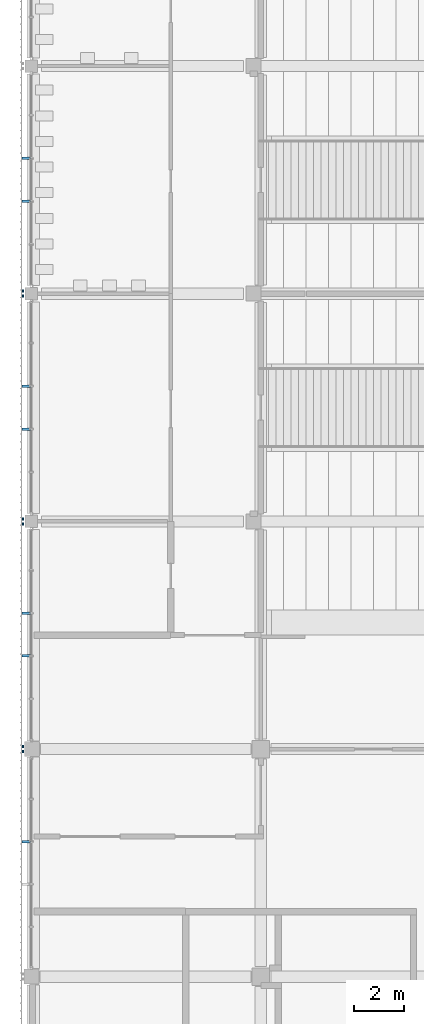
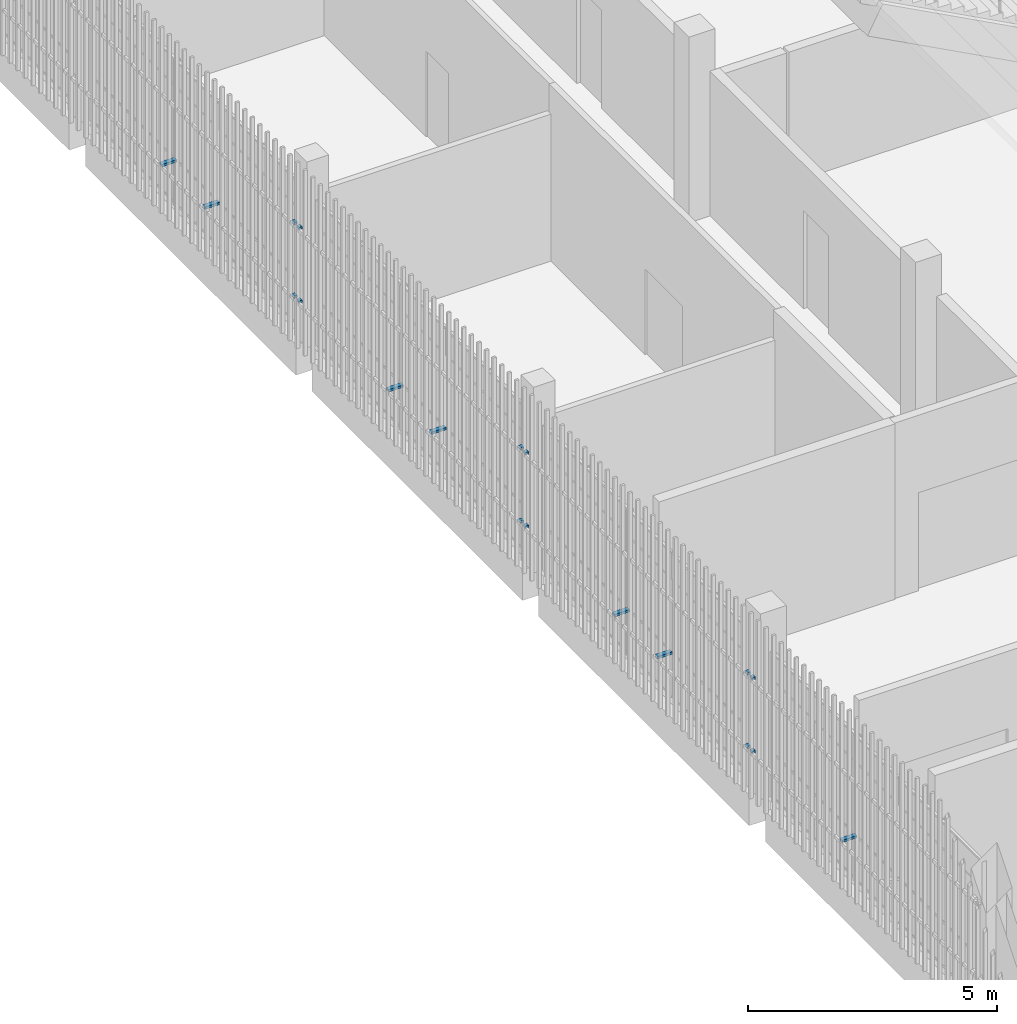
# One storey, part 100 of 139: 19 discrete accessories.
"""IFC4 building model written with IfcOpenShell, lengths in metres."""

from ifc_helpers import new_model, si_unit, direction, frame, origin, origin_2d, place, context, subcontext, project, spatial, rectangle, extrude, material, type_object, element, save


model = new_model("IFC4")

# Units and contexts
model_context = context("Model", 3, precision=1e-05, world=origin(), true_north=direction((0.0, 1.0)))
body_context = subcontext(model_context, "Body", "Model", "MODEL_VIEW")
ifc_project = project(units=[si_unit("LENGTHUNIT", "METRE"), si_unit("AREAUNIT", "SQUARE_METRE"), si_unit("VOLUMEUNIT", "CUBIC_METRE"), si_unit("PLANEANGLEUNIT", "RADIAN"), si_unit("MASSUNIT", "GRAM", prefix="KILO")], contexts=[model_context])

# Site, building, storey
site_placement = place(None, origin())
site = spatial("IfcSite", under=ifc_project, at=site_placement, CompositionType="ELEMENT")
building_placement = place(site_placement, origin())
building = spatial("IfcBuilding", under=site, at=building_placement, Name="Shirokan Park Arena", CompositionType="ELEMENT")
storey_placement = place(building_placement, frame((0.0, 0.0, 15.469970703125)))
storey = spatial("IfcBuildingStorey", under=building, at=storey_placement, Name="L03", CompositionType="ELEMENT", Elevation=15.469970703125)

# Discrete accessories
ifc_material = material(Name="Steel S355", Category="steel")
discrete_accessory_type = type_object("IfcDiscreteAccessoryType", Name="Veil bracket 100x60", PredefinedType="BRACKET", material=ifc_material)
for number, where, z_axis, x_axis, name in (
    (1, (-0.409912109375, 54.699951171875, 1.070068359375), (0.0, 0.0, 1.0), (0.0, -1.0, 0.0), "Veil bracket west bay 6 L03 2"),
    (2, (-0.409912109375, 54.699951171875, 2.8701171875), (0.0, 0.0, 1.0), (0.0, -1.0, 0.0), "Veil bracket west bay 6 L03 4"),
):
    element("IfcDiscreteAccessory", number, at=place(storey_placement, frame(where, z_axis=z_axis, x_axis=x_axis)), inside=storey, type_object=discrete_accessory_type, Name=name, PredefinedType="BRACKET", context=body_context, shape_type="SweptSolid", body=[
        extrude(rectangle(XDim=0.10009765625, YDim=0.070068359375, at=origin_2d()), origin(), (0.0, 0.0, 1.0), 0.06005859375),
    ])
for number, where, z_axis, x_axis, name in (
    (3, (-0.2724609375, 60.010009765625, 1.070068359375), (0.0, 0.0, 1.0), (0.0, -1.0, 0.0), "Veil bracket west bay 6 L03 wall 1"),
    (4, (-0.2724609375, 58.2900390625, 1.070068359375), (0.0, 0.0, 1.0), (0.0, -1.0, 0.0), "Veil bracket west bay 6 L03 wall 2"),
):
    element("IfcDiscreteAccessory", number, at=place(storey_placement, frame(where, z_axis=z_axis, x_axis=x_axis)), inside=storey, type_object=discrete_accessory_type, Name=name, PredefinedType="BRACKET", context=body_context, shape_type="SweptSolid", body=[
        extrude(rectangle(XDim=0.10009765625, YDim=0.344970703125, at=origin_2d()), origin(), (0.0, 0.0, 1.0), 0.06005859375),
    ])
for number, where, z_axis, x_axis, name in (
    (5, (-0.409912109375, 54.5, 1.070068359375), (0.0, 0.0, 1.0), (0.0, -1.0, 0.0), "Veil bracket west bay 7 L03 1"),
    (6, (-0.409912109375, 45.60009765625, 1.070068359375), (0.0, 0.0, 1.0), (0.0, -1.0, 0.0), "Veil bracket west bay 7 L03 2"),
    (7, (-0.409912109375, 54.5, 2.8701171875), (0.0, 0.0, 1.0), (0.0, -1.0, 0.0), "Veil bracket west bay 7 L03 3"),
    (8, (-0.409912109375, 45.60009765625, 2.8701171875), (0.0, 0.0, 1.0), (0.0, -1.0, 0.0), "Veil bracket west bay 7 L03 4"),
):
    element("IfcDiscreteAccessory", number, at=place(storey_placement, frame(where, z_axis=z_axis, x_axis=x_axis)), inside=storey, type_object=discrete_accessory_type, Name=name, PredefinedType="BRACKET", context=body_context, shape_type="SweptSolid", body=[
        extrude(rectangle(XDim=0.10009765625, YDim=0.070068359375, at=origin_2d()), origin(), (0.0, 0.0, 1.0), 0.06005859375),
    ])
for number, where, z_axis, x_axis, name in (
    (9, (-0.2724609375, 50.909912109375, 1.070068359375), (0.0, 0.0, 1.0), (0.0, -1.0, 0.0), "Veil bracket west bay 7 L03 wall 1"),
    (10, (-0.2724609375, 49.18994140625, 1.070068359375), (0.0, 0.0, 1.0), (0.0, -1.0, 0.0), "Veil bracket west bay 7 L03 wall 2"),
):
    element("IfcDiscreteAccessory", number, at=place(storey_placement, frame(where, z_axis=z_axis, x_axis=x_axis)), inside=storey, type_object=discrete_accessory_type, Name=name, PredefinedType="BRACKET", context=body_context, shape_type="SweptSolid", body=[
        extrude(rectangle(XDim=0.10009765625, YDim=0.344970703125, at=origin_2d()), origin(), (0.0, 0.0, 1.0), 0.06005859375),
    ])
for number, where, z_axis, x_axis, name in (
    (11, (-0.409912109375, 45.39990234375, 1.070068359375), (0.0, 0.0, 1.0), (0.0, -1.0, 0.0), "Veil bracket west bay 8 L03 1"),
    (12, (-0.409912109375, 36.5, 1.070068359375), (0.0, 0.0, 1.0), (0.0, -1.0, 0.0), "Veil bracket west bay 8 L03 2"),
    (13, (-0.409912109375, 45.39990234375, 2.8701171875), (0.0, 0.0, 1.0), (0.0, -1.0, 0.0), "Veil bracket west bay 8 L03 3"),
    (14, (-0.409912109375, 36.5, 2.8701171875), (0.0, 0.0, 1.0), (0.0, -1.0, 0.0), "Veil bracket west bay 8 L03 4"),
):
    element("IfcDiscreteAccessory", number, at=place(storey_placement, frame(where, z_axis=z_axis, x_axis=x_axis)), inside=storey, type_object=discrete_accessory_type, Name=name, PredefinedType="BRACKET", context=body_context, shape_type="SweptSolid", body=[
        extrude(rectangle(XDim=0.10009765625, YDim=0.070068359375, at=origin_2d()), origin(), (0.0, 0.0, 1.0), 0.06005859375),
    ])
for number, where, z_axis, x_axis, name in (
    (15, (-0.2724609375, 41.830078125, 1.070068359375), (0.0, 0.0, 1.0), (0.0, -1.0, 0.0), "Veil bracket west bay 8 L03 wall 1"),
    (16, (-0.2724609375, 40.1201171875, 1.070068359375), (0.0, 0.0, 1.0), (0.0, -1.0, 0.0), "Veil bracket west bay 8 L03 wall 2"),
):
    element("IfcDiscreteAccessory", number, at=place(storey_placement, frame(where, z_axis=z_axis, x_axis=x_axis)), inside=storey, type_object=discrete_accessory_type, Name=name, PredefinedType="BRACKET", context=body_context, shape_type="SweptSolid", body=[
        extrude(rectangle(XDim=0.10009765625, YDim=0.344970703125, at=origin_2d()), origin(), (0.0, 0.0, 1.0), 0.06005859375),
    ])
for number, where, z_axis, x_axis, name in (
    (17, (-0.409912109375, 36.300048828125, 1.070068359375), (0.0, 0.0, 1.0), (0.0, -1.0, 0.0), "Veil bracket west bay 9 L03 1"),
    (18, (-0.409912109375, 36.300048828125, 2.8701171875), (0.0, 0.0, 1.0), (0.0, -1.0, 0.0), "Veil bracket west bay 9 L03 3"),
):
    element("IfcDiscreteAccessory", number, at=place(storey_placement, frame(where, z_axis=z_axis, x_axis=x_axis)), inside=storey, type_object=discrete_accessory_type, Name=name, PredefinedType="BRACKET", context=body_context, shape_type="SweptSolid", body=[
        extrude(rectangle(XDim=0.10009765625, YDim=0.070068359375, at=origin_2d()), origin(), (0.0, 0.0, 1.0), 0.06005859375),
    ])
discrete_accessory_placement = place(storey_placement, frame((-0.2724609375, 32.699951171875, 1.070068359375), z_axis=(0.0, 0.0, 1.0), x_axis=(0.0, -1.0, 0.0)))
element("IfcDiscreteAccessory", 19, at=discrete_accessory_placement, inside=storey, type_object=discrete_accessory_type, Name="Veil bracket west bay 9 L03 wall 1", PredefinedType="BRACKET", context=body_context, shape_type="SweptSolid", body=[
    extrude(rectangle(XDim=0.10009765625, YDim=0.344970703125, at=origin_2d()), origin(), (0.0, 0.0, 1.0), 0.06005859375),
])

save(model, "model.ifc")
